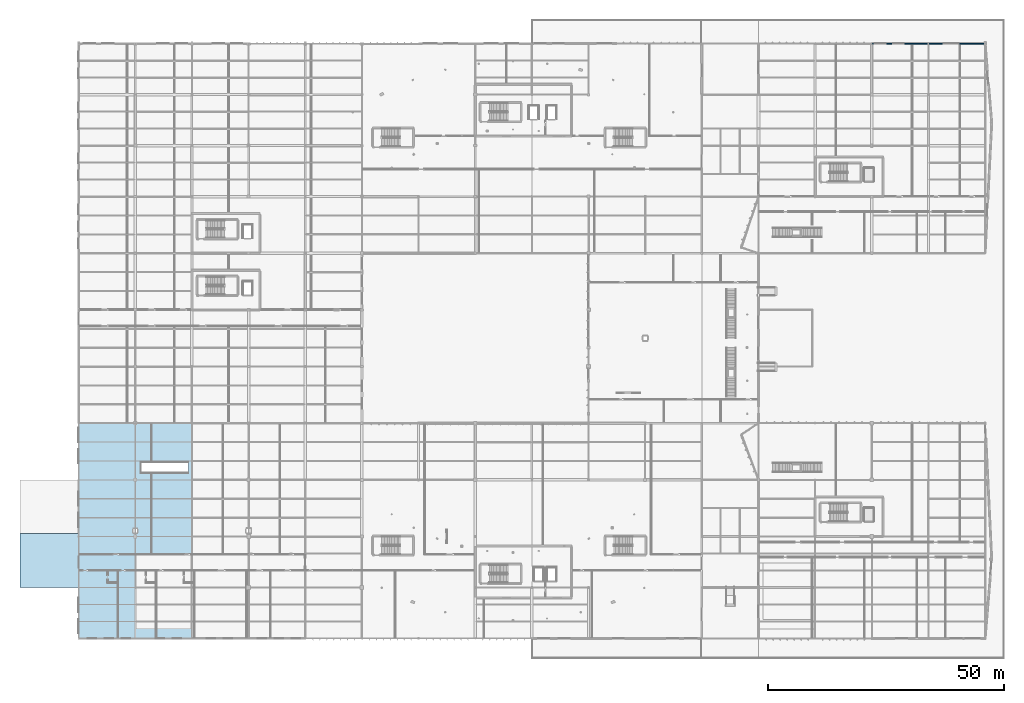
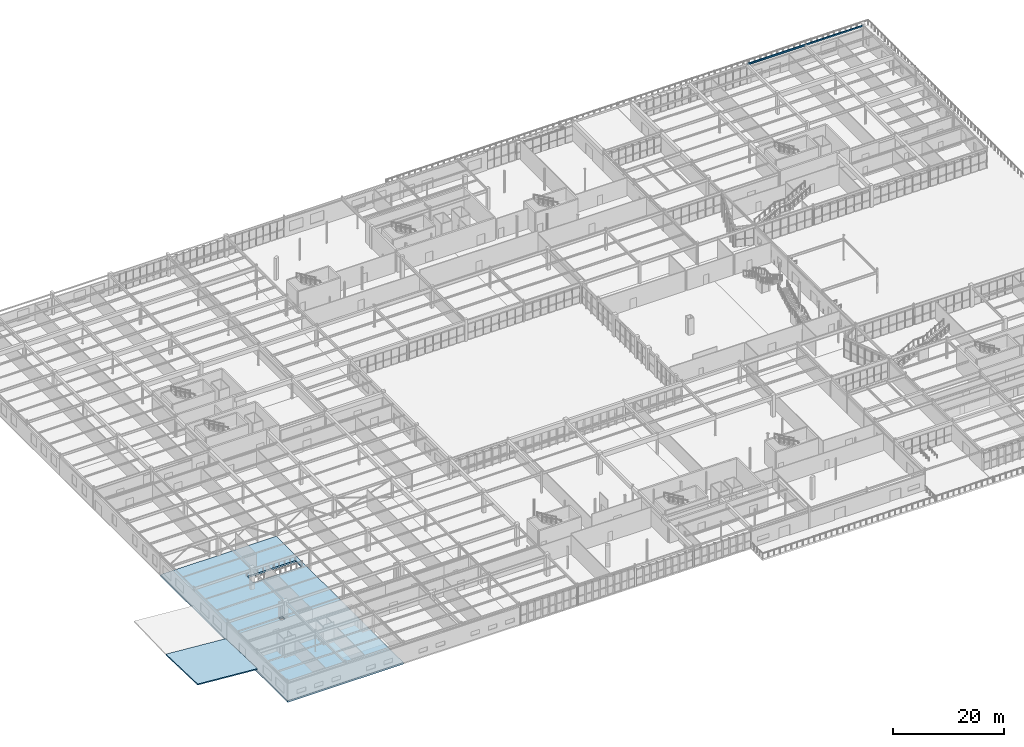
# One storey, part 116 of 199: 2 beams, 2 slabs.
"""IFC4 building model written with IfcOpenShell, lengths in metres."""

from ifc_helpers import new_model, si_unit, direction, frame, origin, origin_2d, place, context, subcontext, project, spatial, polyline, hollow_rectangle, i_section, outline, extrude, material, layer, layer_set, material_profile, profile_set, type_object, element, save


model = new_model("IFC4")

# Units and contexts
model_context = context("Model", 3, precision=1e-05, world=origin(), true_north=direction((0.0, 1.0)))
body_context = subcontext(model_context, "Body", "Model", "MODEL_VIEW")
ifc_project = project(units=[si_unit("LENGTHUNIT", "METRE"), si_unit("AREAUNIT", "SQUARE_METRE"), si_unit("VOLUMEUNIT", "CUBIC_METRE"), si_unit("PLANEANGLEUNIT", "RADIAN"), si_unit("MASSUNIT", "GRAM", prefix="KILO")], contexts=[model_context])

# Site, building, storey
site_placement = place(None, origin())
site = spatial("IfcSite", under=ifc_project, at=site_placement, CompositionType="ELEMENT")
building_placement = place(site_placement, origin())
building = spatial("IfcBuilding", under=site, at=building_placement, Name="Tarnwether General Hospital", CompositionType="ELEMENT")
storey_placement = place(building_placement, origin())
storey = spatial("IfcBuildingStorey", under=building, at=storey_placement, Name="L00", CompositionType="ELEMENT", Elevation=0.0)

# Beams
ifc_material_1 = material(Name="Steel Grade 350 (350 MPa)", Category="steel")
ifc_material_profile_1 = material_profile(ifc_material_1, i_section(OverallWidth=0.177978515625, OverallDepth=0.403076171875, WebThickness=0.007568359375, FlangeThickness=0.010986328125, at=origin_2d()), Name="410UB53.7")
ifc_profile_set_1 = profile_set([ifc_material_profile_1], Name="Steel Grade 350 (350 MPa)")
beam_type_1 = type_object("IfcBeamType", Name="BM-SP2", PredefinedType="SPANDREL", material=ifc_profile_set_1)
beam_1_placement = place(storey_placement, frame((168.0, 126.0, 4.243408203125), z_axis=(1.0, 0.0, 0.0), x_axis=(0.0, 1.0, 0.0)))
element("IfcBeam", 1, at=beam_1_placement, inside=storey, type_object=beam_type_1, Name="Primary Girder BMG-L00-16800_12600-18000_12600-0836", PredefinedType="SPANDREL", context=body_context, shape_type="SweptSolid", body=[
    extrude(i_section(OverallWidth=0.177978515625, OverallDepth=0.403076171875, WebThickness=0.007568359375, FlangeThickness=0.010986328125, at=origin_2d()), origin(), (0.0, 0.0, 1.0), 12.0),
])
ifc_material_2 = material(Name="Steel Grade C350L0 (350 MPa)", Category="steel")
ifc_material_profile_2 = material_profile(ifc_material_2, hollow_rectangle(XDim=0.199951171875, YDim=0.300048828125, WallThickness=0.012451171875, at=origin_2d()), Name="RHS300x200x12.5")
ifc_profile_set_2 = profile_set([ifc_material_profile_2], Name="Steel Grade C350L0 (350 MPa)")
beam_type_2 = type_object("IfcBeamType", Name="BM-SP3", PredefinedType="SPANDREL", material=ifc_profile_set_2)
beam_2_placement = place(storey_placement, frame((180.0, 126.0, 4.294921875), z_axis=(1.0, 0.0, 0.0), x_axis=(0.0, 1.0, 0.0)))
element("IfcBeam", 2, at=beam_2_placement, inside=storey, type_object=beam_type_2, Name="Primary Girder BMG-L00-18000_12600-19200_12600-0854", PredefinedType="SPANDREL", context=body_context, shape_type="SweptSolid", body=[
    extrude(hollow_rectangle(XDim=0.199951171875, YDim=0.300048828125, WallThickness=0.012451171875, at=origin_2d()), origin(), (0.0, 0.0, 1.0), 12.0),
])

# Slabs
ifc_material_3 = material(Name="Concrete 40 MPa", Category="concrete")
ifc_layer_1 = layer(ifc_material_3, 0.3701171875)
ifc_layer_set_1 = layer_set([ifc_layer_1], Name="Concrete 40 MPa")
slab_type_1 = type_object("IfcSlabType", Name="SL-FL260", PredefinedType="FLOOR", material=ifc_layer_set_1)
slab_1_placement = place(storey_placement, frame((0.0, 0.0, -0.3701171875)))
element("IfcSlab", 3, at=slab_1_placement, inside=storey, type_object=slab_type_1, Name="L00 Emergency West Floor SL-L00-V2A", PredefinedType="FLOOR", context=body_context, shape_type="SweptSolid", body=[
    extrude(outline(polyline([(24.0, 45.60009765625), (24.0, 0.0), (0.0, 0.0), (0.0, 45.60009765625), (24.0, 45.60009765625)]), holes=[polyline([(11.550048828125, 23.25), (11.550048828125, 22.35009765625), (12.449951171875, 22.35009765625), (12.449951171875, 23.25), (11.550048828125, 23.25)]), polyline([(23.219970703125, 35.080078125), (23.219970703125, 37.320068359375), (13.179931640625, 37.320068359375), (13.179931640625, 35.080078125), (23.219970703125, 35.080078125)])]), origin(), (0.0, 0.0, 1.0), 0.3701171875),
])
ifc_material_4 = material(Name="Concrete 40 MPa", Category="concrete")
ifc_layer_2 = layer(ifc_material_4, 0.239990234375)
ifc_layer_set_2 = layer_set([ifc_layer_2], Name="Concrete 40 MPa")
slab_type_2 = type_object("IfcSlabType", Name="SL-RF240", PredefinedType="ROOF", material=ifc_layer_set_2)
slab_2_placement = place(storey_placement, frame((-12.39990234375, 10.800048828125, 1.449951171875), z_axis=(0.076359734738, 0.030595827761, 0.996610799778), x_axis=(0.997077594245, -2.99301e-07, -0.076395491067)))
element("IfcSlab", 4, at=slab_2_placement, inside=storey, type_object=slab_type_2, Name="West Ambulance Folded Canopy South Wing", PredefinedType="ROOF", context=body_context, shape_type="SweptSolid", body=[
    extrude(outline(polyline([(0.0, 0.0), (12.436236784038938, 3.469446951953614e-18), (12.462979254402041, 11.405245575673813), (0.026723819120167577, 11.40523812781317), (0.0, 0.0)])), origin(), (0.0, 0.0, -1.0), 0.239990234375),
])

save(model, "model.ifc")
